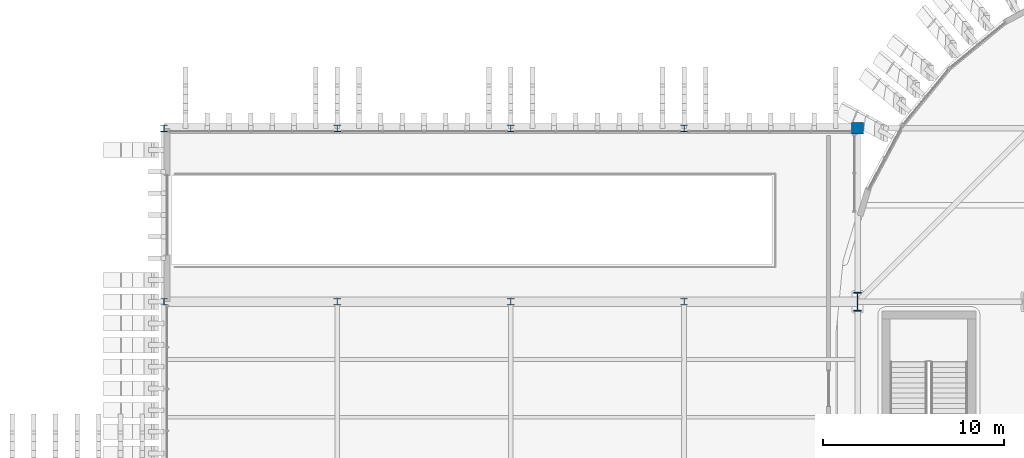
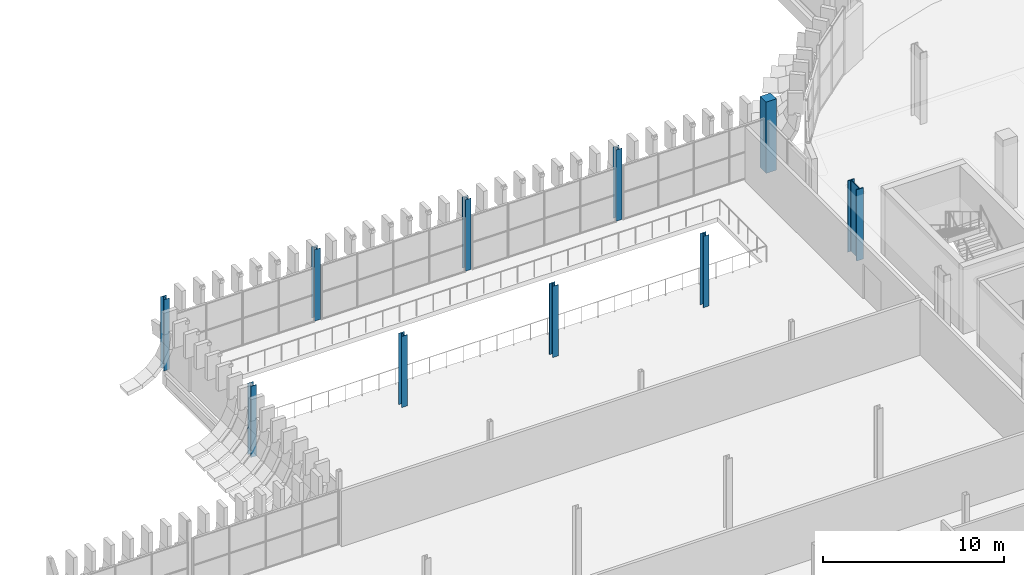
# One storey, part 8 of 100: 10 columns.
"""IFC4 building model written with IfcOpenShell, lengths in metres."""

from ifc_helpers import new_model, si_unit, direction, frame, origin, origin_2d, place, context, subcontext, project, spatial, rectangle, i_section, extrude, material, material_profile, profile_set, type_object, element, save


model = new_model("IFC4")

# Units and contexts
model_context = context("Model", 3, precision=1e-05, world=origin(), true_north=direction((0.0, 1.0)))
body_context = subcontext(model_context, "Body", "Model", "MODEL_VIEW")
ifc_project = project(units=[si_unit("LENGTHUNIT", "METRE"), si_unit("AREAUNIT", "SQUARE_METRE"), si_unit("VOLUMEUNIT", "CUBIC_METRE"), si_unit("PLANEANGLEUNIT", "RADIAN"), si_unit("MASSUNIT", "GRAM", prefix="KILO")], contexts=[model_context])

# Site, building, storey
site_placement = place(None, origin())
site = spatial("IfcSite", under=ifc_project, at=site_placement, CompositionType="ELEMENT")
building_placement = place(site_placement, origin())
building = spatial("IfcBuilding", under=site, at=building_placement, Name="Caelomonte Colonnade Arena", CompositionType="ELEMENT")
storey_placement = place(building_placement, origin())
storey = spatial("IfcBuildingStorey", under=building, at=storey_placement, Name="L00", CompositionType="ELEMENT", Elevation=0.0)

# Columns
ifc_material_1 = material(Name="Concrete C40/50", Category="concrete")
ifc_material_profile_1 = material_profile(ifc_material_1, rectangle(XDim=0.64990234375, YDim=0.64990234375, at=origin_2d()), Name="RC650X650")
ifc_profile_set_1 = profile_set([ifc_material_profile_1], Name="Concrete C40/50")
column_type_1 = type_object("IfcColumnType", Name="STR-COL-RC65", PredefinedType="COLUMN", material=ifc_profile_set_1)
column_1_placement = place(storey_placement, frame((57.60009765625, 105.60009765625, 0.0), z_axis=(0.0, 0.0, 1.0), x_axis=(1.0, 0.0, 0.0)))
element("IfcColumn", 1, at=column_1_placement, inside=storey, type_object=column_type_1, Name="L00 column (57.6, 105.6)", PredefinedType="COLUMN", context=body_context, shape_type="SweptSolid", body=[
    extrude(rectangle(XDim=0.64990234375, YDim=0.64990234375, at=origin_2d()), origin(), (0.0, 0.0, 1.0), 4.800048828125),
])
ifc_material_2 = material(Name="Wide-flange steel ASTM A992 Grade 50", Category="steel")
ifc_material_profile_2 = material_profile(ifc_material_2, i_section(OverallWidth=0.368896484375, OverallDepth=0.356201171875, WebThickness=0.01123046875, FlangeThickness=0.01806640625, FilletRadius=0.01513671875, at=origin_2d()), Name="W14X90")
ifc_profile_set_2 = profile_set([ifc_material_profile_2], Name="Wide-flange steel ASTM A992 Grade 50")
column_type_2 = type_object("IfcColumnType", Name="STR-COL-W14B", PredefinedType="COLUMN", material=ifc_profile_set_2)
for number, where, z_axis, x_axis, name in (
    (2, (19.199951171875, 96.0, 0.0), (0.0, 0.0, 1.0), (1.0, 0.0, 0.0), "L00 column (19.2, 96.0)"),
    (3, (19.199951171875, 105.60009765625, 0.0), (0.0, 0.0, 1.0), (1.0, 0.0, 0.0), "L00 column (19.2, 105.6)"),
    (4, (28.800048828125, 96.0, 0.0), (0.0, 0.0, 1.0), (1.0, 0.0, 0.0), "L00 column (28.8, 96.0)"),
    (5, (28.800048828125, 105.60009765625, 0.0), (0.0, 0.0, 1.0), (1.0, 0.0, 0.0), "L00 column (28.8, 105.6)"),
    (6, (38.39990234375, 96.0, 0.0), (0.0, 0.0, 1.0), (1.0, 0.0, 0.0), "L00 column (38.4, 96.0)"),
    (7, (38.39990234375, 105.60009765625, 0.0), (0.0, 0.0, 1.0), (1.0, 0.0, 0.0), "L00 column (38.4, 105.6)"),
    (8, (48.0, 96.0, 0.0), (0.0, 0.0, 1.0), (1.0, 0.0, 0.0), "L00 column (48.0, 96.0)"),
    (9, (48.0, 105.60009765625, 0.0), (0.0, 0.0, 1.0), (1.0, 0.0, 0.0), "L00 column (48.0, 105.6)"),
):
    element("IfcColumn", number, at=place(storey_placement, frame(where, z_axis=z_axis, x_axis=x_axis)), inside=storey, type_object=column_type_2, Name=name, PredefinedType="COLUMN", context=body_context, shape_type="SweptSolid", body=[
        extrude(i_section(OverallWidth=0.368896484375, OverallDepth=0.356201171875, WebThickness=0.01123046875, FlangeThickness=0.01806640625, FilletRadius=0.01513671875, at=origin_2d()), origin(), (0.0, 0.0, 1.0), 4.800048828125),
    ])
ifc_material_profile_3 = material_profile(ifc_material_2, i_section(OverallWidth=0.427001953125, OverallDepth=1.04150390625, WebThickness=0.031005859375, FlangeThickness=0.055908203125, FilletRadius=0.030517578125, at=origin_2d()), Name="W40X397")
ifc_profile_set_3 = profile_set([ifc_material_profile_3], Name="Wide-flange steel ASTM A992 Grade 50")
column_type_3 = type_object("IfcColumnType", Name="STR-COL-W40A", PredefinedType="COLUMN", material=ifc_profile_set_3)
column_2_placement = place(storey_placement, frame((57.60009765625, 96.0, 0.0), z_axis=(0.0, 0.0, 1.0), x_axis=(1.0, 0.0, 0.0)))
element("IfcColumn", 10, at=column_2_placement, inside=storey, type_object=column_type_3, Name="L00 column (57.6, 96.0)", PredefinedType="COLUMN", context=body_context, shape_type="SweptSolid", body=[
    extrude(i_section(OverallWidth=0.427001953125, OverallDepth=1.04150390625, WebThickness=0.031005859375, FlangeThickness=0.055908203125, FilletRadius=0.030517578125, at=origin_2d()), origin(), (0.0, 0.0, 1.0), 4.800048828125),
])

save(model, "model.ifc")
